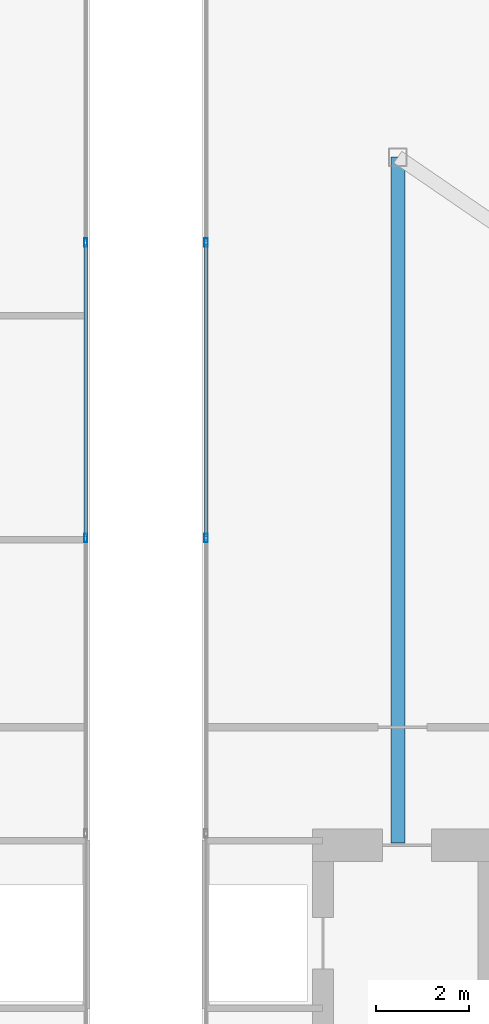
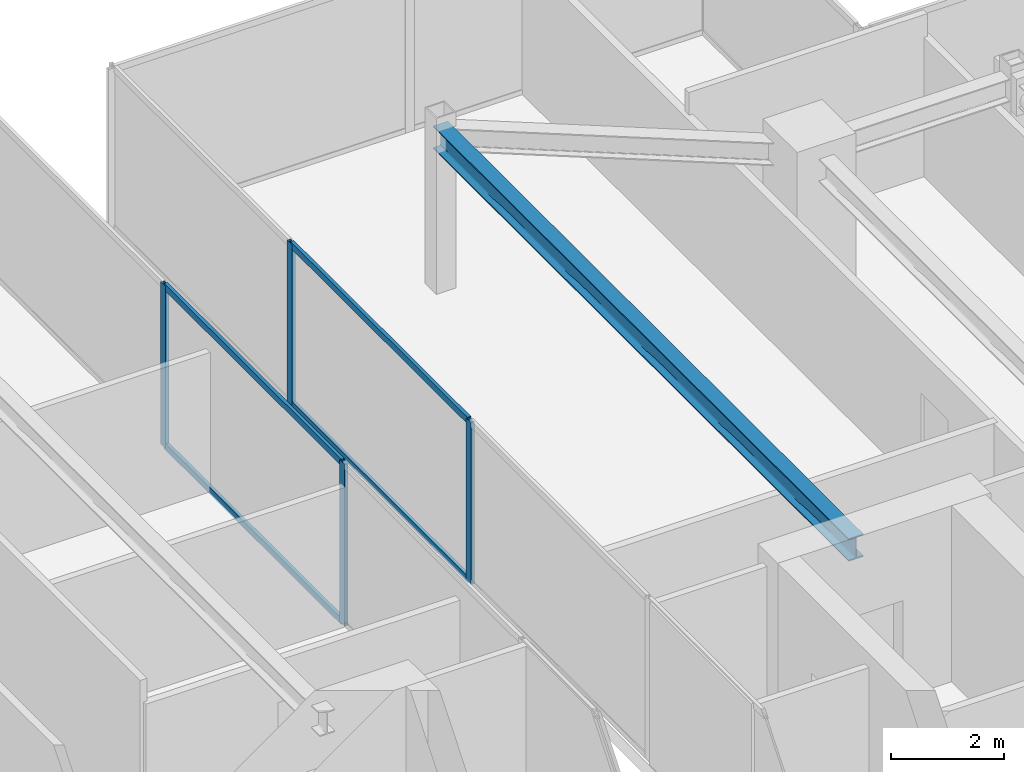
# One storey, part 14 of 25: 8 members, 1 beam, 2 elements without a shape of their own.
"""IFC4 building model written with IfcOpenShell, lengths in metres."""

from ifc_helpers import new_model, si_unit, direction, frame, origin, origin_2d, place, context, subcontext, project, spatial, hollow_rectangle, i_section, extrude, source, transform, mapped, material, material_profile, profile_set, type_object, type_shapes, element, aggregate, save


model = new_model("IFC4")

# Units and contexts
model_context = context("Model", 3, precision=1e-05, world=origin(), true_north=direction((0.0, 1.0)))
body_context = subcontext(model_context, "Body", "Model", "MODEL_VIEW")
ifc_project = project(units=[si_unit("LENGTHUNIT", "METRE"), si_unit("AREAUNIT", "SQUARE_METRE"), si_unit("VOLUMEUNIT", "CUBIC_METRE"), si_unit("PLANEANGLEUNIT", "RADIAN"), si_unit("MASSUNIT", "GRAM", prefix="KILO")], contexts=[model_context])

# Site, building, storey
site_placement = place(None, origin())
site = spatial("IfcSite", under=ifc_project, at=site_placement, CompositionType="ELEMENT")
building_placement = place(site_placement, origin())
building = spatial("IfcBuilding", under=site, at=building_placement, Name="Krantzveldt Concourse Tower", CompositionType="ELEMENT")
storey_placement = place(building_placement, frame((0.0, 0.0, 370.85009765625)))
storey = spatial("IfcBuildingStorey", under=building, at=storey_placement, Name="L91", CompositionType="ELEMENT", Elevation=370.85009765625)

# Beam
ifc_material_1 = material(Name="Steel S355JR", Category="steel")
ifc_material_profile_1 = material_profile(ifc_material_1, i_section(OverallWidth=0.300048828125, OverallDepth=0.489990234375, WebThickness=0.011962890625, FlangeThickness=0.02294921875, FilletRadius=0.027099609375, at=origin_2d()), Name="Steel S355JR", Category="steel")
ifc_profile_set_1 = profile_set([ifc_material_profile_1], Name="Steel S355JR - HEA 500")
beam_type = type_object("IfcBeamType", Name="BM-B-HEA500", PredefinedType="BEAM", material=ifc_profile_set_1)
shared_shape_1 = source(origin(), body_context, "Body", "SweptSolid", [
    extrude(i_section(OverallWidth=0.300048828125, OverallDepth=0.489990234375, WebThickness=0.011962890625, FlangeThickness=0.02294921875, FilletRadius=0.027099609375, at=origin_2d()), origin(), (0.0, 0.0, 1.0), 14.699951171875),
])
type_shapes(beam_type, [shared_shape_1])
beam_placement = place(storey_placement, frame((41.39990234375, 41.199951171875, 3.2548828125), z_axis=(0.0, -1.0, 0.0), x_axis=(1.0, 0.0, 0.0)))
element("IfcBeam", 1, at=beam_placement, inside=storey, type_object=beam_type, Name="L91 Crown Girder EAST-5", PredefinedType="BEAM", context=body_context, shape_type="MappedRepresentation", body=[
    mapped(shared_shape_1, transform((0.0, 0.0, 0.0), x_axis=(1.0, 0.0, 0.0), y_axis=(0.0, 1.0, 0.0), z_axis=(0.0, 0.0, 1.0), scale=1.0)),
])

# Curtain wall, members
ifc_material_2 = material(Name="Anodised aluminium 6063-T6", Category="aluminium")
curtain_wall_type = type_object("IfcCurtainWallType", Name="CW7", PredefinedType="USERDEFINED", material=ifc_material_2)
curtain_wall_1_placement = place(storey_placement, origin())
curtain_wall_1 = element("IfcCurtainWall", 2, at=curtain_wall_1_placement, inside=storey, type_object=curtain_wall_type, Name="CW-L91-WEST-01", ObjectType="UNITISED CURTAIN WALL", PredefinedType="USERDEFINED")
ifc_material_profile_2 = material_profile(ifc_material_2, hollow_rectangle(XDim=0.070068359375, YDim=0.179931640625, WallThickness=0.0048828125, at=origin_2d()), Name="Anodised aluminium 6063-T6", Category="aluminium")
ifc_profile_set_2 = profile_set([ifc_material_profile_2], Name="Anodised aluminium 6063-T6 - ALU-MULL 180x70x5")
member_type_1 = type_object("IfcMemberType", Name="CW-MUL-180", PredefinedType="MULLION", material=ifc_profile_set_2)
shared_shape_2 = source(origin(), body_context, "Body", "SweptSolid", [
    extrude(hollow_rectangle(XDim=0.070068359375, YDim=0.179931640625, WallThickness=0.0048828125, at=origin_2d()), origin(), (0.0, 0.0, 1.0), 3.5),
])
type_shapes(member_type_1, [shared_shape_2])
member_1_placement = place(storey_placement, frame((34.7099609375, 33.033447265625, 0.0), z_axis=(0.0, 0.0, 1.0), x_axis=(-1.0, 0.0, 0.0)))
member_1 = element("IfcMember", 3, at=member_1_placement, type_object=member_type_1, Name="CW-CRN mullion 5", PredefinedType="MULLION", context=body_context, shape_type="MappedRepresentation", body=[
    mapped(shared_shape_2, transform((0.0, 0.0, 0.0), x_axis=(1.0, 0.0, 0.0), y_axis=(0.0, 1.0, 0.0), z_axis=(0.0, 0.0, 1.0), scale=1.0)),
])
member_2_placement = place(storey_placement, frame((34.7099609375, 39.36669921875, 0.0), z_axis=(0.0, 0.0, 1.0), x_axis=(-1.0, 0.0, 0.0)))
member_2 = element("IfcMember", 4, at=member_2_placement, type_object=member_type_1, Name="CW-CRN mullion 6", PredefinedType="MULLION", context=body_context, shape_type="MappedRepresentation", body=[
    mapped(shared_shape_2, transform((0.0, 0.0, 0.0), x_axis=(1.0, 0.0, 0.0), y_axis=(0.0, 1.0, 0.0), z_axis=(0.0, 0.0, 1.0), scale=1.0)),
])

curtain_wall_2_placement = place(storey_placement, origin())
curtain_wall_2 = element("IfcCurtainWall", 5, at=curtain_wall_2_placement, inside=storey, type_object=curtain_wall_type, Name="CW-L91-EAST-07", ObjectType="UNITISED CURTAIN WALL", PredefinedType="USERDEFINED")
member_3_placement = place(storey_placement, frame((37.2900390625, 39.36669921875, 0.0), z_axis=(0.0, 0.0, 1.0), x_axis=(1.0, 0.0, 0.0)))
member_3 = element("IfcMember", 6, at=member_3_placement, type_object=member_type_1, Name="CW-CRN mullion 2", PredefinedType="MULLION", context=body_context, shape_type="MappedRepresentation", body=[
    mapped(shared_shape_2, transform((0.0, 0.0, 0.0), x_axis=(1.0, 0.0, 0.0), y_axis=(0.0, 1.0, 0.0), z_axis=(0.0, 0.0, 1.0), scale=1.0)),
])
member_4_placement = place(storey_placement, frame((37.2900390625, 33.033447265625, 0.0), z_axis=(0.0, 0.0, 1.0), x_axis=(1.0, 0.0, 0.0)))
member_4 = element("IfcMember", 7, at=member_4_placement, type_object=member_type_1, Name="CW-CRN mullion 3", PredefinedType="MULLION", context=body_context, shape_type="MappedRepresentation", body=[
    mapped(shared_shape_2, transform((0.0, 0.0, 0.0), x_axis=(1.0, 0.0, 0.0), y_axis=(0.0, 1.0, 0.0), z_axis=(0.0, 0.0, 1.0), scale=1.0)),
])

# Member
ifc_material_profile_3 = material_profile(ifc_material_2, hollow_rectangle(XDim=0.070068359375, YDim=0.139892578125, WallThickness=0.0048828125, at=origin_2d()), Name="Anodised aluminium 6063-T6", Category="aluminium")
ifc_profile_set_3 = profile_set([ifc_material_profile_3], Name="Anodised aluminium 6063-T6 - ALU-TRAN 140x70x5")
member_type_2 = type_object("IfcMemberType", Name="CW-TRN-150", PredefinedType="USERDEFINED", material=ifc_profile_set_3)
shared_shape_3 = source(origin(), body_context, "Body", "SweptSolid", [
    extrude(hollow_rectangle(XDim=0.070068359375, YDim=0.139892578125, WallThickness=0.0048828125, at=origin_2d()), origin(), (0.0, 0.0, 1.0), 6.263427734375),
])
type_shapes(member_type_2, [shared_shape_3])
member_5_placement = place(storey_placement, frame((34.7099609375, 33.068359375, 0.034912109375), z_axis=(0.0, 1.0, 0.0), x_axis=(-1.0, 0.0, 0.0)))
member_5 = element("IfcMember", 8, at=member_5_placement, type_object=member_type_2, Name="CW-CRN transom 5.1", ObjectType="TRANSOM", PredefinedType="USERDEFINED", context=body_context, shape_type="MappedRepresentation", body=[
    mapped(shared_shape_3, transform((0.0, 0.0, 0.0), x_axis=(1.0, 0.0, 0.0), y_axis=(0.0, 1.0, 0.0), z_axis=(0.0, 0.0, 1.0), scale=1.0)),
])

member_6_placement = place(storey_placement, frame((34.7099609375, 33.068359375, 3.46484375), z_axis=(0.0, 1.0, 0.0), x_axis=(-1.0, 0.0, 0.0)))
member_6 = element("IfcMember", 9, at=member_6_placement, type_object=member_type_2, Name="CW-CRN transom 5.2", ObjectType="TRANSOM", PredefinedType="USERDEFINED", context=body_context, shape_type="MappedRepresentation", body=[
    mapped(shared_shape_3, transform((0.0, 0.0, 0.0), x_axis=(1.0, 0.0, 0.0), y_axis=(0.0, 1.0, 0.0), z_axis=(0.0, 0.0, 1.0), scale=1.0)),
])

aggregate(curtain_wall_1, [member_1, member_2, member_5, member_6])

member_7_placement = place(storey_placement, frame((37.2900390625, 39.331787109375, 0.034912109375), z_axis=(0.0, -1.0, 0.0), x_axis=(1.0, 0.0, 0.0)))
member_7 = element("IfcMember", 10, at=member_7_placement, type_object=member_type_2, Name="CW-CRN transom 2.1", ObjectType="TRANSOM", PredefinedType="USERDEFINED", context=body_context, shape_type="MappedRepresentation", body=[
    mapped(shared_shape_3, transform((0.0, 0.0, 0.0), x_axis=(1.0, 0.0, 0.0), y_axis=(0.0, 1.0, 0.0), z_axis=(0.0, 0.0, 1.0), scale=1.0)),
])

member_8_placement = place(storey_placement, frame((37.2900390625, 39.331787109375, 3.46484375), z_axis=(0.0, -1.0, 0.0), x_axis=(1.0, 0.0, 0.0)))
member_8 = element("IfcMember", 11, at=member_8_placement, type_object=member_type_2, Name="CW-CRN transom 2.2", ObjectType="TRANSOM", PredefinedType="USERDEFINED", context=body_context, shape_type="MappedRepresentation", body=[
    mapped(shared_shape_3, transform((0.0, 0.0, 0.0), x_axis=(1.0, 0.0, 0.0), y_axis=(0.0, 1.0, 0.0), z_axis=(0.0, 0.0, 1.0), scale=1.0)),
])

aggregate(curtain_wall_2, [member_3, member_4, member_7, member_8])

save(model, "model.ifc")
